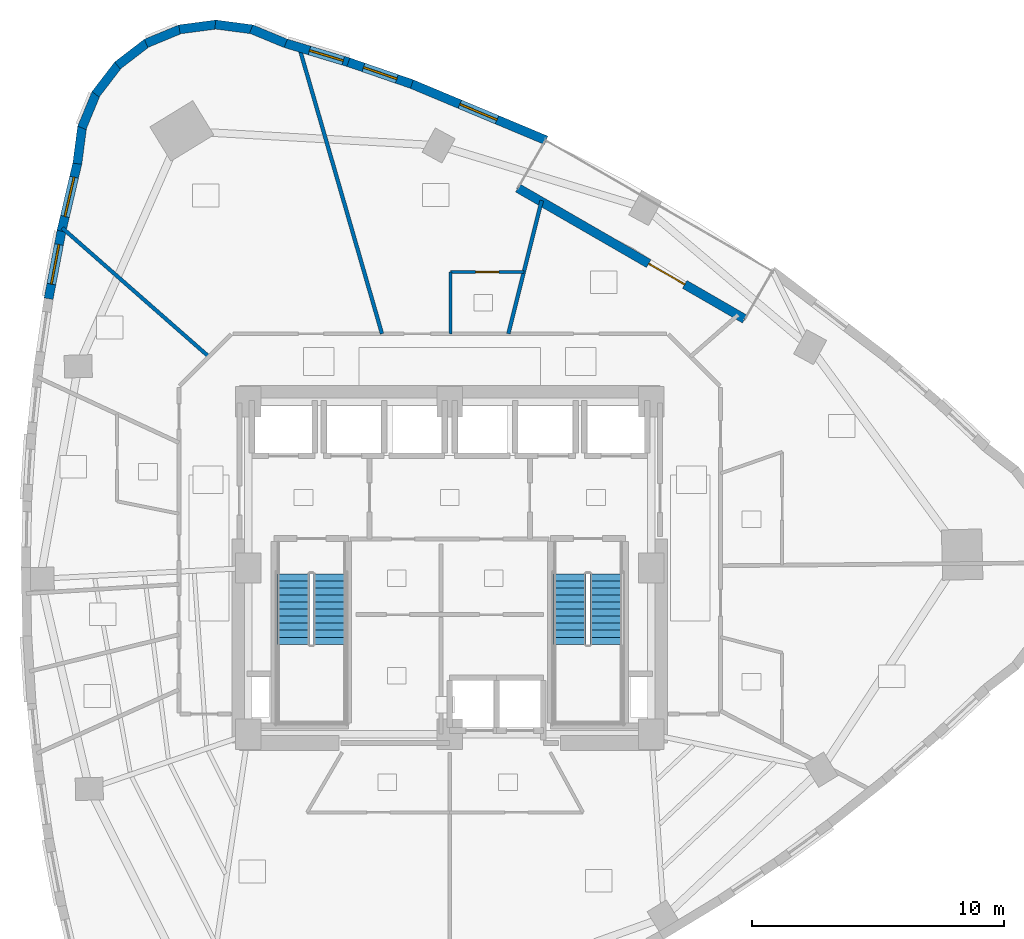
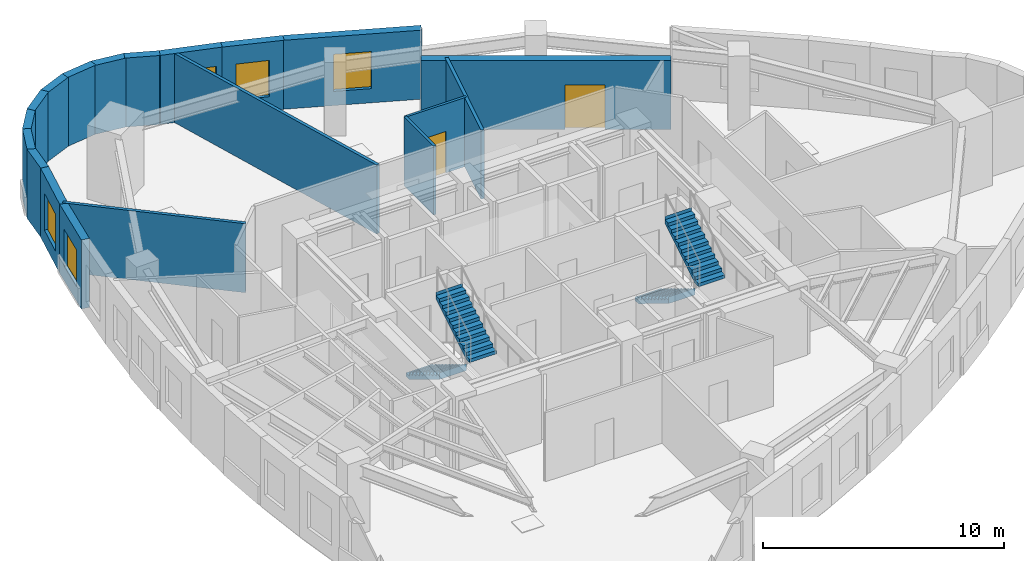
# One storey, part 10 of 13: 19 walls, 5 windows, 4 stair flights, 2 doors, 7 openings, 2 elements without a shape of their own.
"""IFC4 building model written with IfcOpenShell, lengths in metres."""

import ifcopenshell
import ifcopenshell.guid

model = None  # the IFC model being written
_history = None  # IfcOwnerHistory: only IFC2X3 demands one
_inside = {}  # id of a spatial element -> (the spatial element, [elements in it])
_under = {}  # id of a project, library or spatial element -> (it, [spatial elements below it])
_declared = {}  # id of a project -> (the project, [libraries it declares])
_typed = {}  # id of a type object -> (the type object, [elements of that type])
_made_of = {}  # id of a material, layer set ... -> (it, [elements and type objects made of it])


def new_model(schema):
    """Start an empty IFC model of exactly this schema.

    Asked for "IFC4X3", IfcOpenShell would pick the latest addendum, in which some entities
    have other attributes; the version numbers below select the first issue.
    IFC2X3 requires an IfcOwnerHistory on every rooted entity: one is made here for all.
    """
    global model, _history
    if schema == "IFC4X3":
        model = ifcopenshell.file(schema_version=(4, 3, 0, 0))
    else:
        model = ifcopenshell.file(schema=schema)
    _inside.clear()
    _under.clear()
    _declared.clear()
    _typed.clear()
    _made_of.clear()
    _history = None
    if model.schema == "IFC2X3":
        org = make("IfcOrganization", Name="unknown")
        user = make(
            "IfcPersonAndOrganization",
            ThePerson=make("IfcPerson", FamilyName="unknown"),
            TheOrganization=org,
        )
        app = make(
            "IfcApplication",
            ApplicationDeveloper=org,
            Version="unknown",
            ApplicationFullName="unknown",
            ApplicationIdentifier="unknown",
        )
        _history = make(
            "IfcOwnerHistory",
            OwningUser=user,
            OwningApplication=app,
            ChangeAction="ADDED",
            CreationDate=0,
        )
    return model


def make(cls, **values):
    """One entity of the class cls with the attributes given. An attribute that is None is left unset."""
    return model.create_entity(
        cls, **{name: value for name, value in values.items() if value is not None}
    )


def rooted(cls, **values):
    """An entity with a GlobalId (a new one), such as an element, a storey or a relation."""
    return make(cls, GlobalId=ifcopenshell.guid.new(), OwnerHistory=_history, **values)


def si_unit(unit_type, name, prefix=None):
    """IfcSIUnit, for example si_unit("LENGTHUNIT", "METRE", prefix="MILLI")."""
    return make("IfcSIUnit", UnitType=unit_type, Prefix=prefix, Name=name)


def assignment(units):
    """IfcUnitAssignment: the units of a project."""
    return None if units is None else make("IfcUnitAssignment", Units=units)


def point(xyz):
    """IfcCartesianPoint."""
    return None if xyz is None else make("IfcCartesianPoint", Coordinates=xyz)


def direction(xyz):
    """IfcDirection."""
    return None if xyz is None else make("IfcDirection", DirectionRatios=xyz)


def frame(location, z_axis=None, x_axis=None):
    """IfcAxis2Placement3D, a coordinate frame: its origin and axes. An axis left out is left unset."""
    return make(
        "IfcAxis2Placement3D",
        Location=point(location),
        Axis=direction(z_axis),
        RefDirection=direction(x_axis),
    )


def frame_2d(location, x_axis=None):
    """IfcAxis2Placement2D, a coordinate frame in the plane: its origin and x axis."""
    return make(
        "IfcAxis2Placement2D", Location=point(location), RefDirection=direction(x_axis)
    )


def origin():
    """The frame at (0, 0, 0) with its axes left unset."""
    return frame((0.0, 0.0, 0.0))


def place(relative_to, where):
    """IfcLocalPlacement: puts the frame where relative to a parent placement (None: the world)."""
    return make(
        "IfcLocalPlacement", PlacementRelTo=relative_to, RelativePlacement=where
    )


def context(
    kind, dimensions, precision=None, world=None, true_north=None, identifier=None
):
    """IfcGeometricRepresentationContext, for example the 3D "Model" context."""
    return make(
        "IfcGeometricRepresentationContext",
        ContextIdentifier=identifier,
        ContextType=kind,
        CoordinateSpaceDimension=dimensions,
        Precision=precision,
        WorldCoordinateSystem=world,
        TrueNorth=true_north,
    )


def subcontext(parent, identifier, kind, view, scale=None):
    """IfcGeometricRepresentationSubContext, for example "Body" below "Model"."""
    return make(
        "IfcGeometricRepresentationSubContext",
        ContextIdentifier=identifier,
        ContextType=kind,
        ParentContext=parent,
        TargetScale=scale,
        TargetView=view,
    )


def project(units=None, contexts=None):
    """IfcProject with its units and contexts."""
    return rooted(
        "IfcProject",
        Name="project",
        RepresentationContexts=contexts,
        UnitsInContext=assignment(units),
    )


def spatial(cls, under=None, at=None, **own):
    """A site, building, storey or space (cls), placed at a placement, below another one or the project."""
    s = rooted(cls, ObjectPlacement=at, **own)
    if under is not None:
        _under.setdefault(under.id(), (under, []))[1].append(s)
    return s


def polyline(points):
    """IfcPolyline through the points."""
    return make("IfcPolyline", Points=[point(p) for p in points])


def profile(cls, at=None, kind="AREA", **sizes):
    """A parametric profile (cls). Its sizes go by their IFC names, for example OverallWidth=200.0."""
    return make(cls, ProfileType=kind, Position=at, **sizes)


def rectangle(**sizes):
    """IfcRectangleProfileDef."""
    return profile("IfcRectangleProfileDef", **sizes)


def outline(outer, holes=None, kind="AREA"):
    """IfcArbitraryClosedProfileDef: a profile drawn as a closed curve; with holes, ...WithVoids."""
    if holes is None:
        return make("IfcArbitraryClosedProfileDef", ProfileType=kind, OuterCurve=outer)
    return make(
        "IfcArbitraryProfileDefWithVoids",
        ProfileType=kind,
        OuterCurve=outer,
        InnerCurves=holes,
    )


def extrude(swept, where, along, depth):
    """IfcExtrudedAreaSolid: the profile swept, set in the frame where, extruded along a direction by depth."""
    return make(
        "IfcExtrudedAreaSolid",
        SweptArea=swept,
        Position=where,
        ExtrudedDirection=direction(along),
        Depth=depth,
    )


def shape(context_of_items, identifier, shape_type, items):
    """IfcShapeRepresentation: the items that make up one representation, for example the "Body"."""
    return make(
        "IfcShapeRepresentation",
        ContextOfItems=context_of_items,
        RepresentationIdentifier=identifier,
        RepresentationType=shape_type,
        Items=items,
    )


def material(Name=None, Category=None):
    """IfcMaterial."""
    return make("IfcMaterial", Name=Name, Category=Category)


def layer(
    of_material, thickness, ventilated=None, Name=None, Category=None, Priority=None
):
    """IfcMaterialLayer: one layer of a wall or slab, of a material (None: an air gap)."""
    return make(
        "IfcMaterialLayer",
        Material=of_material,
        LayerThickness=thickness,
        IsVentilated=ventilated,
        Name=Name,
        Category=Category,
        Priority=Priority,
    )


def layer_set(layers, Name=None):
    """IfcMaterialLayerSet."""
    return make("IfcMaterialLayerSet", MaterialLayers=layers, LayerSetName=Name)


def made_of(thing, what):
    """Note that an element or type object is made of a material, layer set ...; save() writes the relation."""
    if what is not None:
        _made_of.setdefault(what.id(), (what, []))[1].append(thing)
    return thing


def type_object(cls, material=None, **own):
    """A type object (cls), such as IfcWallType, which elements share."""
    return made_of(rooted(cls, **own), material)


def element(
    cls,
    number,
    at=None,
    inside=None,
    cuts=None,
    type_object=None,
    material=None,
    context=None,
    identifier="Body",
    shape_type=None,
    held_by="IfcProductDefinitionShape",
    body=None,
    shapes=None,
    **own,
):
    """One element of the class cls, such as IfcWall. Its Tag is "e" and its number.

    at: its placement. inside: the storey or other place that contains it. cuts: it is an
    opening in that element (IfcRelVoidsElement). A single representation is given by context,
    identifier, shape_type and body (its items); several are given by shapes. held_by: the class
    of the entity that holds the representations. save() writes the other relations.
    """
    e = rooted(cls, Tag="e%d" % number, ObjectPlacement=at, **own)
    if body is not None:
        shapes = [shape(context, identifier, shape_type, body)]
    if shapes is not None:
        e.Representation = make(held_by, Representations=shapes)
    if inside is not None:
        _inside.setdefault(inside.id(), (inside, []))[1].append(e)
    if cuts is not None:
        rooted(
            "IfcRelVoidsElement", RelatingBuildingElement=cuts, RelatedOpeningElement=e
        )
    if type_object is not None:
        _typed.setdefault(type_object.id(), (type_object, []))[1].append(e)
    return made_of(e, material)


def fill(opening, filler):
    """IfcRelFillsElement: the door or window that sits in an opening."""
    return rooted(
        "IfcRelFillsElement",
        RelatingOpeningElement=opening,
        RelatedBuildingElement=filler,
    )


def aggregate(whole, parts):
    """IfcRelAggregates: a whole, such as a stair, and the parts it consists of."""
    return rooted("IfcRelAggregates", RelatingObject=whole, RelatedObjects=parts)


def save(model, path):
    """Write the relations noted so far, then the file.

    IfcRelAggregates (storeys below a building ...), IfcRelContainedInSpatialStructure (elements
    in a storey), IfcRelDefinesByType, IfcRelAssociatesMaterial and IfcRelDeclares: one each for
    every whole, place, type object, material and project.
    """
    for whole, parts in _under.values():
        aggregate(whole, parts)
    for where, things in _inside.values():
        rooted(
            "IfcRelContainedInSpatialStructure",
            RelatedElements=things,
            RelatingStructure=where,
        )
    for kind, things in _typed.values():
        rooted("IfcRelDefinesByType", RelatedObjects=things, RelatingType=kind)
    for what, things in _made_of.values():
        rooted("IfcRelAssociatesMaterial", RelatedObjects=things, RelatingMaterial=what)
    for by, libraries in _declared.values():
        rooted("IfcRelDeclares", RelatingContext=by, RelatedDefinitions=libraries)
    model.write(path)


model = new_model("IFC4")

# Units and contexts
model_context = context("Model", 3, precision=1e-05, world=origin(), true_north=direction((0.0, 1.0)))
body_context = subcontext(model_context, "Body", "Model", "MODEL_VIEW")
ifc_project = project(units=[si_unit("LENGTHUNIT", "METRE"), si_unit("AREAUNIT", "SQUARE_METRE"), si_unit("VOLUMEUNIT", "CUBIC_METRE"), si_unit("PLANEANGLEUNIT", "RADIAN"), si_unit("MASSUNIT", "GRAM", prefix="KILO")], contexts=[model_context])

# Site, building, storey
site_placement = place(None, origin())
site = spatial("IfcSite", under=ifc_project, at=site_placement, CompositionType="ELEMENT")
building_placement = place(site_placement, origin())
building = spatial("IfcBuilding", under=site, at=building_placement, Name="Ndelora Gate Hotel", CompositionType="ELEMENT")
storey_placement = place(building_placement, frame((0.0, 0.0, 123.5)))
storey = spatial("IfcBuildingStorey", under=building, at=storey_placement, Name="L30", CompositionType="ELEMENT", Elevation=123.5)

# Wall, opening, door
ifc_material_1 = material(Name="Clay Brick Masonry", Category="masonry")
ifc_layer_1 = layer(ifc_material_1, 0.360107421875)
ifc_layer_set_1 = layer_set([ifc_layer_1], Name="Clay Brick Masonry")
wall_type_1 = type_object("IfcWallType", Name="WL-BRICK-360", PredefinedType="SOLIDWALL", material=ifc_layer_set_1)
wall_1_placement = place(storey_placement, frame((2.70458984375, 15.084228515625, 0.0), z_axis=(0.0, 0.0, 1.0), x_axis=(0.866025696342, -0.499999493275, 0.0)))
wall_1 = element("IfcWall", 1, at=wall_1_placement, inside=storey, type_object=wall_type_1, Name="L30 Sky-Garden Loggia Rear Brick Wall", PredefinedType="SOLIDWALL", context=body_context, shape_type="SweptSolid", body=[
    extrude(rectangle(XDim=10.39990234375, YDim=0.360107421875, at=frame_2d((5.199951171875, 0.0))), origin(), (0.0, 0.0, 1.0), 3.5),
])
opening_1_placement = place(wall_1_placement, frame((6.0, 0.0, 0.0)))
opening_1 = element("IfcOpeningElement", 2, at=opening_1_placement, cuts=wall_1, Name="Opening TD1", PredefinedType="OPENING", context=body_context, shape_type="SweptSolid", body=[
    extrude(rectangle(XDim=1.64990234375, YDim=2.25, at=frame_2d((0.824951171875, 1.125))), frame((0.0, 0.18994140625, 0.0), z_axis=(0.0, -1.0, 0.0), x_axis=(1.0, 0.0, 0.0)), (0.0, 0.0, 1.0), 0.380126953125),
])
ifc_material_2 = material(Name="Architectural Bronze Glazed Door", Category="metal")
door_type_1 = type_object("IfcDoorType", Name="DR-TER-1650", OperationType="DOUBLE_DOOR_SINGLE_SWING", PredefinedType="DOOR", material=ifc_material_2)
door_1_placement = place(opening_1_placement, origin())
door_1 = element("IfcDoor", 3, at=door_1_placement, inside=storey, type_object=door_type_1, Name="L30 Sky-Garden Terrace Double Door TD1", OperationType="DOUBLE_DOOR_SINGLE_SWING", OverallHeight=2.25, OverallWidth=1.64990234375, PredefinedType="DOOR", context=body_context, shape_type="SweptSolid", body=[
    extrude(rectangle(XDim=1.64990234375, YDim=2.25, at=frame_2d((0.824951171875, 1.125))), frame((0.0, 0.02490234375, 0.0), z_axis=(0.0, -1.0, 0.0), x_axis=(1.0, 0.0, 0.0)), (0.0, 0.0, 1.0), 0.050048828125),
])
fill(opening_1, door_1)

# Walls
for number, where, z_axis, x_axis, name in (
    (4, (-7.8798828125, 21.39599609375, 0.0), (0.0, 0.0, 1.0), (0.923886669429, -0.382666201867, 0.0), "L30 Tower Brick Pier-and-Spandrel Wall TWR-1"),
    (5, (-9.304931640625, 21.576904296875, 0.0), (0.0, 0.0, 1.0), (0.991453176983, -0.130463013345, 0.0), "L30 Tower Brick Pier-and-Spandrel Wall TWR-2"),
    (6, (-10.728515625, 21.383056640625, 0.0), (0.0, 0.0, 1.0), (0.991453176983, 0.130463013345, 0.0), "L30 Tower Brick Pier-and-Spandrel Wall TWR-3"),
):
    element("IfcWall", number, at=place(storey_placement, frame(where, z_axis=z_axis, x_axis=x_axis)), inside=storey, type_object=wall_type_1, Name=name, PredefinedType="SOLIDWALL", context=body_context, shape_type="SweptSolid", body=[
        extrude(rectangle(XDim=1.48583984375, YDim=0.360107421875, at=frame_2d((0.742919921875, 0.0))), origin(), (0.0, 0.0, 1.0), 3.5),
    ])
wall_2_placement = place(storey_placement, frame((-12.05322265625, 20.827392578125, 0.0), z_axis=(0.0, 0.0, 1.0), x_axis=(0.923862604215, 0.382724298331, 0.0)))
element("IfcWall", 7, at=wall_2_placement, inside=storey, type_object=wall_type_1, Name="L30 Tower Brick Pier-and-Spandrel Wall TWR-4", PredefinedType="SOLIDWALL", context=body_context, shape_type="SweptSolid", body=[
    extrude(rectangle(XDim=1.485595703125, YDim=0.360107421875, at=frame_2d((0.74267578125, 0.0))), origin(), (0.0, 0.0, 1.0), 3.5),
])
for number, where, z_axis, x_axis, name in (
    (8, (-13.189208984375, 19.947509765625, 0.0), (0.0, 0.0, 1.0), (0.793325936538, 0.608797140611, 0.0), "L30 Tower Brick Pier-and-Spandrel Wall TWR-5"),
    (9, (-14.05859375, 18.803955078125, 0.0), (0.0, 0.0, 1.0), (0.608797140611, 0.793325936538, 0.0), "L30 Tower Brick Pier-and-Spandrel Wall TWR-6"),
):
    element("IfcWall", number, at=place(storey_placement, frame(where, z_axis=z_axis, x_axis=x_axis)), inside=storey, type_object=wall_type_1, Name=name, PredefinedType="SOLIDWALL", context=body_context, shape_type="SweptSolid", body=[
        extrude(rectangle(XDim=1.48583984375, YDim=0.360107421875, at=frame_2d((0.742919921875, 0.0))), origin(), (0.0, 0.0, 1.0), 3.5),
    ])
wall_3_placement = place(storey_placement, frame((-14.602294921875, 17.47412109375, 0.0), z_axis=(0.0, 0.0, 1.0), x_axis=(0.382724298331, 0.923862604215, 0.0)))
element("IfcWall", 10, at=wall_3_placement, inside=storey, type_object=wall_type_1, Name="L30 Tower Brick Pier-and-Spandrel Wall TWR-7", PredefinedType="SOLIDWALL", context=body_context, shape_type="SweptSolid", body=[
    extrude(rectangle(XDim=1.485595703125, YDim=0.360107421875, at=frame_2d((0.74267578125, 0.0))), origin(), (0.0, 0.0, 1.0), 3.5),
])
wall_4_placement = place(storey_placement, frame((-14.783447265625, 16.048828125, 0.0), z_axis=(0.0, 0.0, 1.0), x_axis=(0.130463013345, 0.991453176983, 0.0)))
element("IfcWall", 11, at=wall_4_placement, inside=storey, type_object=wall_type_1, Name="L30 Tower Brick Pier-and-Spandrel Wall TWR-8", PredefinedType="SOLIDWALL", context=body_context, shape_type="SweptSolid", body=[
    extrude(rectangle(XDim=1.48583984375, YDim=0.360107421875, at=frame_2d((0.742919921875, 0.0))), origin(), (0.0, 0.0, 1.0), 3.5),
])

# Wall, opening, window
wall_5_placement = place(storey_placement, frame((-15.412353515625, 13.37060546875, 0.0), z_axis=(0.0, 0.0, 1.0), x_axis=(0.22776138749, 0.973716976523, 0.0)))
wall_5 = element("IfcWall", 12, at=wall_5_placement, inside=storey, type_object=wall_type_1, Name="L30 Tower Brick Pier-and-Spandrel Wall TWR-9", PredefinedType="SOLIDWALL", context=body_context, shape_type="SweptSolid", body=[
    extrude(rectangle(XDim=2.801025390625, YDim=0.360107421875, at=frame_2d((1.400390625, 0.0))), origin(), (0.0, 0.0, 1.0), 3.5),
])
opening_2_placement = place(wall_5_placement, frame((0.6005859375, 0.0, 0.719970703125)))
opening_2 = element("IfcOpeningElement", 13, at=opening_2_placement, cuts=wall_5, Name="Opening W03", PredefinedType="OPENING", context=body_context, shape_type="SweptSolid", body=[
    extrude(rectangle(XDim=1.60009765625, YDim=1.8798828125, at=frame_2d((0.800048828125, 0.93994140625))), frame((0.0, 0.18994140625, 0.0), z_axis=(0.0, -1.0, 0.0), x_axis=(1.0, 0.0, 0.0)), (0.0, 0.0, 1.0), 0.380126953125),
])
ifc_material_3 = material(Name="Insulated Low-E Double Glazing in Bronze Aluminium Frame", Category="aluminium")
window_type_1 = type_object("IfcWindowType", Name="WN-CORN-2100", PartitioningType="SINGLE_PANEL", PredefinedType="WINDOW", material=ifc_material_3)
window_1_placement = place(opening_2_placement, origin())
window_1 = element("IfcWindow", 14, at=window_1_placement, inside=storey, type_object=window_type_1, Name="L30 Deep-Set Brick-Pier Window W03", OverallHeight=1.8798828125, OverallWidth=1.60009765625, PartitioningType="SINGLE_PANEL", PredefinedType="WINDOW", context=body_context, shape_type="SweptSolid", body=[
    extrude(rectangle(XDim=1.60009765625, YDim=1.8798828125, at=frame_2d((0.800048828125, 0.93994140625))), frame((0.0, 0.030029296875, 0.0), z_axis=(0.0, -1.0, 0.0), x_axis=(1.0, 0.0, 0.0)), (0.0, 0.0, 1.0), 0.06005859375),
])
fill(opening_2, window_1)

wall_6_placement = place(storey_placement, frame((-15.923828125, 10.691162109375, 0.0), z_axis=(0.0, 0.0, 1.0), x_axis=(0.187911722621, 0.982185921555, 0.0)))
wall_6 = element("IfcWall", 15, at=wall_6_placement, inside=storey, type_object=wall_type_1, Name="L30 Tower Brick Pier-and-Spandrel Wall TWR-10", PredefinedType="SOLIDWALL", context=body_context, shape_type="SweptSolid", body=[
    extrude(rectangle(XDim=2.77783203125, YDim=0.360107421875, at=frame_2d((1.388916015625, 0.0))), origin(), (0.0, 0.0, 1.0), 3.5),
])
opening_3_placement = place(wall_6_placement, frame((0.5888671875, 0.0, 0.719970703125)))
opening_3 = element("IfcOpeningElement", 16, at=opening_3_placement, cuts=wall_6, Name="Opening W01", PredefinedType="OPENING", context=body_context, shape_type="SweptSolid", body=[
    extrude(rectangle(XDim=1.60009765625, YDim=1.8798828125, at=frame_2d((0.800048828125, 0.93994140625))), frame((0.0, 0.18994140625, 0.0), z_axis=(0.0, -1.0, 0.0), x_axis=(1.0, 0.0, 0.0)), (0.0, 0.0, 1.0), 0.380126953125),
])
window_type_2 = type_object("IfcWindowType", Name="WN-DEEP-1600", PartitioningType="SINGLE_PANEL", PredefinedType="WINDOW", material=ifc_material_3)
window_2_placement = place(opening_3_placement, origin())
window_2 = element("IfcWindow", 17, at=window_2_placement, inside=storey, type_object=window_type_2, Name="L30 Deep-Set Brick-Pier Window W01", OverallHeight=1.8798828125, OverallWidth=1.60009765625, PartitioningType="SINGLE_PANEL", PredefinedType="WINDOW", context=body_context, shape_type="SweptSolid", body=[
    extrude(rectangle(XDim=1.60009765625, YDim=1.8798828125, at=frame_2d((0.800048828125, 0.93994140625))), frame((0.0, 0.030029296875, 0.0), z_axis=(0.0, -1.0, 0.0), x_axis=(1.0, 0.0, 0.0)), (0.0, 0.0, 1.0), 0.06005859375),
])
fill(opening_3, window_2)

wall_7_placement = place(storey_placement, frame((-1.547607421875, 19.229248046875, 0.0), z_axis=(0.0, 0.0, 1.0), x_axis=(0.922477078981, -0.386051860187, 0.0)))
wall_7 = element("IfcWall", 18, at=wall_7_placement, inside=storey, type_object=wall_type_1, Name="L30 Tower Brick Pier-and-Spandrel Wall TWR-56", PredefinedType="SOLIDWALL", context=body_context, shape_type="SweptSolid", body=[
    extrude(rectangle(XDim=5.826904296875, YDim=0.360107421875, at=frame_2d((2.91357421875, 0.0))), origin(), (0.0, 0.0, 1.0), 3.5),
])
opening_4_placement = place(wall_7_placement, frame((2.11328125, 0.0, 0.719970703125)))
opening_4 = element("IfcOpeningElement", 19, at=opening_4_placement, cuts=wall_7, Name="Opening W01", PredefinedType="OPENING", context=body_context, shape_type="SweptSolid", body=[
    extrude(rectangle(XDim=1.60009765625, YDim=1.8798828125, at=frame_2d((0.800048828125, 0.93994140625))), frame((0.0, 0.18994140625, 0.0), z_axis=(0.0, -1.0, 0.0), x_axis=(1.0, 0.0, 0.0)), (0.0, 0.0, 1.0), 0.380126953125),
])
window_3_placement = place(opening_4_placement, origin())
window_3 = element("IfcWindow", 20, at=window_3_placement, inside=storey, type_object=window_type_2, Name="L30 Deep-Set Brick-Pier Window W01", OverallHeight=1.8798828125, OverallWidth=1.60009765625, PartitioningType="SINGLE_PANEL", PredefinedType="WINDOW", context=body_context, shape_type="SweptSolid", body=[
    extrude(rectangle(XDim=1.60009765625, YDim=1.8798828125, at=frame_2d((0.800048828125, 0.93994140625))), frame((0.0, 0.030029296875, 0.0), z_axis=(0.0, -1.0, 0.0), x_axis=(1.0, 0.0, 0.0)), (0.0, 0.0, 1.0), 0.06005859375),
])
fill(opening_4, window_3)

wall_8_placement = place(storey_placement, frame((-4.02490234375, 20.081787109375, 0.0), z_axis=(0.0, 0.0, 1.0), x_axis=(0.945339936715, -0.326086497807, 0.0)))
wall_8 = element("IfcWall", 21, at=wall_8_placement, inside=storey, type_object=wall_type_1, Name="L30 Tower Brick Pier-and-Spandrel Wall TWR-57", PredefinedType="SOLIDWALL", context=body_context, shape_type="SweptSolid", body=[
    extrude(rectangle(XDim=2.669921875, YDim=0.360107421875, at=frame_2d((1.3349609375, 0.0))), origin(), (0.0, 0.0, 1.0), 3.5),
])
opening_5_placement = place(wall_8_placement, frame((0.635009765625, 0.0, 0.719970703125)))
opening_5 = element("IfcOpeningElement", 22, at=opening_5_placement, cuts=wall_8, Name="Opening W02", PredefinedType="OPENING", context=body_context, shape_type="SweptSolid", body=[
    extrude(rectangle(XDim=1.39990234375, YDim=1.840087890625, at=frame_2d((0.699951171875, 0.919921875))), frame((0.0, 0.18994140625, 0.0), z_axis=(0.0, -1.0, 0.0), x_axis=(1.0, 0.0, 0.0)), (0.0, 0.0, 1.0), 0.380126953125),
])
window_type_3 = type_object("IfcWindowType", Name="WN-DEEP-1400", PartitioningType="SINGLE_PANEL", PredefinedType="WINDOW", material=ifc_material_3)
window_4_placement = place(opening_5_placement, origin())
window_4 = element("IfcWindow", 23, at=window_4_placement, inside=storey, type_object=window_type_3, Name="L30 Deep-Set Brick-Pier Window W02", OverallHeight=1.840087890625, OverallWidth=1.39990234375, PartitioningType="SINGLE_PANEL", PredefinedType="WINDOW", context=body_context, shape_type="SweptSolid", body=[
    extrude(rectangle(XDim=1.39990234375, YDim=1.840087890625, at=frame_2d((0.699951171875, 0.919921875))), frame((0.0, 0.030029296875, 0.0), z_axis=(0.0, -1.0, 0.0), x_axis=(1.0, 0.0, 0.0)), (0.0, 0.0, 1.0), 0.06005859375),
])
fill(opening_5, window_4)

wall_9_placement = place(storey_placement, frame((-6.55419921875, 20.843994140625, 0.0), z_axis=(0.0, 0.0, 1.0), x_axis=(0.95736321508, -0.288886957843, 0.0)))
wall_9 = element("IfcWall", 24, at=wall_9_placement, inside=storey, type_object=wall_type_1, Name="L30 Tower Brick Pier-and-Spandrel Wall TWR-58", PredefinedType="SOLIDWALL", context=body_context, shape_type="SweptSolid", body=[
    extrude(rectangle(XDim=2.691650390625, YDim=0.360107421875, at=frame_2d((1.345703125, 0.0))), origin(), (0.0, 0.0, 1.0), 3.5),
])
opening_6_placement = place(wall_9_placement, frame((1.03173828125, 0.0, 0.719970703125)))
opening_6 = element("IfcOpeningElement", 25, at=opening_6_placement, cuts=wall_9, Name="Opening W02", PredefinedType="OPENING", context=body_context, shape_type="SweptSolid", body=[
    extrude(rectangle(XDim=1.39990234375, YDim=1.840087890625, at=frame_2d((0.699951171875, 0.919921875))), frame((0.0, 0.18994140625, 0.0), z_axis=(0.0, -1.0, 0.0), x_axis=(1.0, 0.0, 0.0)), (0.0, 0.0, 1.0), 0.380126953125),
])
window_5_placement = place(opening_6_placement, origin())
window_5 = element("IfcWindow", 26, at=window_5_placement, inside=storey, type_object=window_type_3, Name="L30 Deep-Set Brick-Pier Window W02", OverallHeight=1.840087890625, OverallWidth=1.39990234375, PartitioningType="SINGLE_PANEL", PredefinedType="WINDOW", context=body_context, shape_type="SweptSolid", body=[
    extrude(rectangle(XDim=1.39990234375, YDim=1.840087890625, at=frame_2d((0.699951171875, 0.919921875))), frame((0.0, 0.030029296875, 0.0), z_axis=(0.0, -1.0, 0.0), x_axis=(1.0, 0.0, 0.0)), (0.0, 0.0, 1.0), 0.06005859375),
])
fill(opening_6, window_5)

# Walls
ifc_material_4 = material(Name="Fire-Rated Gypsum Stud Partition", Category="gypsum")
ifc_layer_2 = layer(ifc_material_4, 0.14990234375)
ifc_layer_set_2 = layer_set([ifc_layer_2], Name="Fire-Rated Gypsum Stud Partition")
wall_type_2 = type_object("IfcWallType", Name="WL-PART-150", PredefinedType="PARTITIONING", material=ifc_layer_set_2)
wall_10_placement = place(storey_placement, frame((2.3291015625, 9.300048828125, 0.0), z_axis=(0.0, 0.0, 1.0), x_axis=(0.242946626974, 0.970039657149, 0.0)))
element("IfcWall", 27, at=wall_10_placement, inside=storey, type_object=wall_type_2, Name="L30 Interior Wall IW-5", PredefinedType="PARTITIONING", context=body_context, shape_type="SweptSolid", body=[
    extrude(rectangle(XDim=5.45068359375, YDim=0.14990234375, at=frame_2d((2.725341796875, 0.0))), origin(), (0.0, 0.0, 1.0), 3.5),
])
wall_11_placement = place(storey_placement, frame((-2.6875, 9.300048828125, 0.0), z_axis=(0.0, 0.0, 1.0), x_axis=(-0.277627242784, 0.960688874748, 0.0)))
element("IfcWall", 28, at=wall_11_placement, inside=storey, type_object=wall_type_2, Name="L30 Interior Wall IW-5", PredefinedType="PARTITIONING", context=body_context, shape_type="SweptSolid", body=[
    extrude(rectangle(XDim=11.833740234375, YDim=0.14990234375, at=frame_2d((5.9169921875, 0.0))), origin(), (0.0, 0.0, 1.0), 3.5),
])
wall_12_placement = place(storey_placement, frame((-9.5595703125, 8.390380859375, 0.0), z_axis=(0.0, 0.0, 1.0), x_axis=(-0.751560639242, 0.659664009586, 0.0)))
element("IfcWall", 29, at=wall_12_placement, inside=storey, type_object=wall_type_2, Name="L30 Interior Wall IW-5", PredefinedType="PARTITIONING", context=body_context, shape_type="SweptSolid", body=[
    extrude(rectangle(XDim=7.746826171875, YDim=0.14990234375, at=frame_2d((3.87353515625, 0.0))), origin(), (0.0, 0.0, 1.0), 3.5),
])
ifc_material_5 = material(Name="Moisture-Resistant Bathroom Tile Partition", Category="gypsum")
ifc_layer_3 = layer(ifc_material_5, 0.1201171875)
ifc_layer_set_3 = layer_set([ifc_layer_3], Name="Moisture-Resistant Bathroom Tile Partition")
wall_type_3 = type_object("IfcWallType", Name="WL-WET-120", PredefinedType="PARTITIONING", material=ifc_layer_set_3)
wall_13_placement = place(storey_placement, frame((0.02880859375, 9.300048828125, 0.0), z_axis=(0.0, 0.0, 1.0), x_axis=(0.00318882285, 0.999994915691, 0.0)))
element("IfcWall", 30, at=wall_13_placement, inside=storey, type_object=wall_type_3, Name="L30 Interior Wall IW-7", PredefinedType="PARTITIONING", context=body_context, shape_type="SweptSolid", body=[
    extrude(rectangle(XDim=2.449951171875, YDim=0.1201171875, at=frame_2d((1.22509765625, 0.0))), origin(), (0.0, 0.0, 1.0), 3.5),
])

# Wall, opening, door
wall_14_placement = place(storey_placement, frame((0.03662109375, 11.75, 0.0), z_axis=(0.0, 0.0, 1.0), x_axis=(1.0, 0.0, 0.0)))
wall_14 = element("IfcWall", 31, at=wall_14_placement, inside=storey, type_object=wall_type_3, Name="L30 Interior Wall IW-7", PredefinedType="PARTITIONING", context=body_context, shape_type="SweptSolid", body=[
    extrude(rectangle(XDim=2.906005859375, YDim=0.1201171875, at=frame_2d((1.453125, 0.0))), origin(), (0.0, 0.0, 1.0), 3.5),
])
opening_7_placement = place(wall_14_placement, frame((0.9931640625, 0.0, 0.0)))
opening_7 = element("IfcOpeningElement", 32, at=opening_7_placement, cuts=wall_14, Name="Opening D03", PredefinedType="OPENING", context=body_context, shape_type="SweptSolid", body=[
    extrude(rectangle(XDim=0.919921875, YDim=2.10009765625, at=frame_2d((0.4599609375, 1.050048828125))), frame((0.0, 0.070068359375, 0.0), z_axis=(0.0, -1.0, 0.0), x_axis=(1.0, 0.0, 0.0)), (0.0, 0.0, 1.0), 0.14013671875),
])
ifc_material_6 = material(Name="Moisture-Resistant Hardwood En-Suite Door", Category="wood")
door_type_2 = type_object("IfcDoorType", Name="DR-BATH-920", OperationType="SINGLE_SWING_LEFT", PredefinedType="DOOR", material=ifc_material_6)
door_2_placement = place(opening_7_placement, origin())
door_2 = element("IfcDoor", 33, at=door_2_placement, inside=storey, type_object=door_type_2, Name="L30 En-suite Bathroom 3305 Door", OperationType="SINGLE_SWING_RIGHT", OverallHeight=2.10009765625, OverallWidth=0.919921875, PredefinedType="DOOR", context=body_context, shape_type="SweptSolid", body=[
    extrude(rectangle(XDim=0.919921875, YDim=2.10009765625, at=frame_2d((0.4599609375, 1.050048828125))), frame((0.0, 0.02490234375, 0.0), z_axis=(0.0, -1.0, 0.0), x_axis=(1.0, 0.0, 0.0)), (0.0, 0.0, 1.0), 0.050048828125),
])
fill(opening_7, door_2)

# Stair, stair flights
ifc_material_7 = material(Name="Precast concrete C40/50", Category="concrete")
stair_type = type_object("IfcStairType", Name="STR-DOG-CORE", PredefinedType="HALF_TURN_STAIR", material=ifc_material_7)
stair_1_placement = place(storey_placement, origin())
stair_1 = element("IfcStair", 34, at=stair_1_placement, inside=storey, type_object=stair_type, Name="L30 Protected Core Exit Stair ST4", PredefinedType="HALF_TURN_STAIR")
stair_flight_type = type_object("IfcStairFlightType", Name="STF-PRECAST", PredefinedType="STRAIGHT", material=ifc_material_7)
stair_flight_1_placement = place(storey_placement, frame((-6.2099609375, -0.22998046875, 0.0), z_axis=(0.0, 0.0, 1.0), x_axis=(0.0, -1.0, 0.0)))
stair_flight_1 = element("IfcStairFlight", 35, at=stair_flight_1_placement, type_object=stair_flight_type, Name="ST4 flight 1", NumberOfRisers=11, NumberOfTreads=10, PredefinedType="STRAIGHT", RiserHeight=0.170454545, TreadLength=0.28, context=body_context, shape_type="SweptSolid", body=[
    extrude(outline(polyline([(-0.00048828125, 0.0), (-0.00048828125, 0.17041015625), (0.0, 0.17041015625), (0.280029296875, 0.17041015625), (0.280029296875, 0.3408203125), (0.56005859375, 0.3408203125), (0.56005859375, 0.511474609375), (0.840087890625, 0.511474609375), (0.840087890625, 0.681884765625), (1.1201171875, 0.681884765625), (1.1201171875, 0.852294921875), (1.39990234375, 0.852294921875), (1.39990234375, 1.022705078125), (1.679931640625, 1.022705078125), (1.679931640625, 1.193115234375), (1.9599609375, 1.193115234375), (1.9599609375, 1.363525390625), (2.239990234375, 1.363525390625), (2.239990234375, 1.5341796875), (2.52001953125, 1.5341796875), (2.52001953125, 1.70458984375), (2.800048828125, 1.70458984375), (2.800048828125, 1.875), (2.800537109375, 1.875), (2.800537109375, 1.695068359375), (2.800048828125, 1.529052734375), (0.288330078125, 0.0), (-0.00048828125, 0.0)])), frame((0.0, 0.64013671875, 0.0), z_axis=(0.0, -1.0, 0.0), x_axis=(1.0, 0.0, 0.0)), (0.0, 0.0, 1.0), 1.280029296875),
])
stair_flight_2_placement = place(storey_placement, frame((-4.77001953125, -3.030029296875, 1.875), z_axis=(0.0, 0.0, 1.0), x_axis=(0.0, 1.0, 0.0)))
stair_flight_2 = element("IfcStairFlight", 36, at=stair_flight_2_placement, type_object=stair_flight_type, Name="ST4 flight 2", NumberOfRisers=11, NumberOfTreads=10, PredefinedType="STRAIGHT", RiserHeight=0.170454545, TreadLength=0.28, context=body_context, shape_type="SweptSolid", body=[
    extrude(outline(polyline([(-0.00048828125, 0.0), (-0.00048828125, 0.17041015625), (0.0, 0.17041015625), (0.280029296875, 0.17041015625), (0.280029296875, 0.3408203125), (0.56005859375, 0.3408203125), (0.56005859375, 0.511474609375), (0.840087890625, 0.511474609375), (0.840087890625, 0.681884765625), (1.1201171875, 0.681884765625), (1.1201171875, 0.852294921875), (1.39990234375, 0.852294921875), (1.39990234375, 1.022705078125), (1.679931640625, 1.022705078125), (1.679931640625, 1.193115234375), (1.9599609375, 1.193115234375), (1.9599609375, 1.363525390625), (2.239990234375, 1.363525390625), (2.239990234375, 1.5341796875), (2.52001953125, 1.5341796875), (2.52001953125, 1.70458984375), (2.800048828125, 1.70458984375), (2.800048828125, 1.875), (2.800537109375, 1.875), (2.800537109375, 1.695068359375), (2.800048828125, 1.529052734375), (0.288330078125, 0.0), (-0.00048828125, 0.0)])), frame((0.0, 0.64013671875, 0.0), z_axis=(0.0, -1.0, 0.0), x_axis=(1.0, 0.0, 0.0)), (0.0, 0.0, 1.0), 1.280029296875),
])
aggregate(stair_1, [stair_flight_1, stair_flight_2])

stair_2_placement = place(storey_placement, origin())
stair_2 = element("IfcStair", 37, at=stair_2_placement, inside=storey, type_object=stair_type, Name="L30 Protected Core Exit Stair ST5", PredefinedType="HALF_TURN_STAIR")
stair_flight_3_placement = place(storey_placement, frame((4.77001953125, -0.22998046875, 0.0), z_axis=(0.0, 0.0, 1.0), x_axis=(0.0, -1.0, 0.0)))
stair_flight_3 = element("IfcStairFlight", 38, at=stair_flight_3_placement, type_object=stair_flight_type, Name="ST5 flight 1", NumberOfRisers=11, NumberOfTreads=10, PredefinedType="STRAIGHT", RiserHeight=0.170454545, TreadLength=0.28, context=body_context, shape_type="SweptSolid", body=[
    extrude(outline(polyline([(-0.00048828125, 0.0), (-0.00048828125, 0.17041015625), (0.0, 0.17041015625), (0.280029296875, 0.17041015625), (0.280029296875, 0.3408203125), (0.56005859375, 0.3408203125), (0.56005859375, 0.511474609375), (0.840087890625, 0.511474609375), (0.840087890625, 0.681884765625), (1.1201171875, 0.681884765625), (1.1201171875, 0.852294921875), (1.39990234375, 0.852294921875), (1.39990234375, 1.022705078125), (1.679931640625, 1.022705078125), (1.679931640625, 1.193115234375), (1.9599609375, 1.193115234375), (1.9599609375, 1.363525390625), (2.239990234375, 1.363525390625), (2.239990234375, 1.5341796875), (2.52001953125, 1.5341796875), (2.52001953125, 1.70458984375), (2.800048828125, 1.70458984375), (2.800048828125, 1.875), (2.800537109375, 1.875), (2.800537109375, 1.695068359375), (2.800048828125, 1.529052734375), (0.288330078125, 0.0), (-0.00048828125, 0.0)])), frame((0.0, 0.64013671875, 0.0), z_axis=(0.0, -1.0, 0.0), x_axis=(1.0, 0.0, 0.0)), (0.0, 0.0, 1.0), 1.280029296875),
])
stair_flight_4_placement = place(storey_placement, frame((6.2099609375, -3.030029296875, 1.875), z_axis=(0.0, 0.0, 1.0), x_axis=(0.0, 1.0, 0.0)))
stair_flight_4 = element("IfcStairFlight", 39, at=stair_flight_4_placement, type_object=stair_flight_type, Name="ST5 flight 2", NumberOfRisers=11, NumberOfTreads=10, PredefinedType="STRAIGHT", RiserHeight=0.170454545, TreadLength=0.28, context=body_context, shape_type="SweptSolid", body=[
    extrude(outline(polyline([(-0.00048828125, 0.0), (-0.00048828125, 0.17041015625), (0.0, 0.17041015625), (0.280029296875, 0.17041015625), (0.280029296875, 0.3408203125), (0.56005859375, 0.3408203125), (0.56005859375, 0.511474609375), (0.840087890625, 0.511474609375), (0.840087890625, 0.681884765625), (1.1201171875, 0.681884765625), (1.1201171875, 0.852294921875), (1.39990234375, 0.852294921875), (1.39990234375, 1.022705078125), (1.679931640625, 1.022705078125), (1.679931640625, 1.193115234375), (1.9599609375, 1.193115234375), (1.9599609375, 1.363525390625), (2.239990234375, 1.363525390625), (2.239990234375, 1.5341796875), (2.52001953125, 1.5341796875), (2.52001953125, 1.70458984375), (2.800048828125, 1.70458984375), (2.800048828125, 1.875), (2.800537109375, 1.875), (2.800537109375, 1.695068359375), (2.800048828125, 1.529052734375), (0.288330078125, 0.0), (-0.00048828125, 0.0)])), frame((0.0, 0.64013671875, 0.0), z_axis=(0.0, -1.0, 0.0), x_axis=(1.0, 0.0, 0.0)), (0.0, 0.0, 1.0), 1.280029296875),
])
aggregate(stair_2, [stair_flight_3, stair_flight_4])

save(model, "model.ifc")
